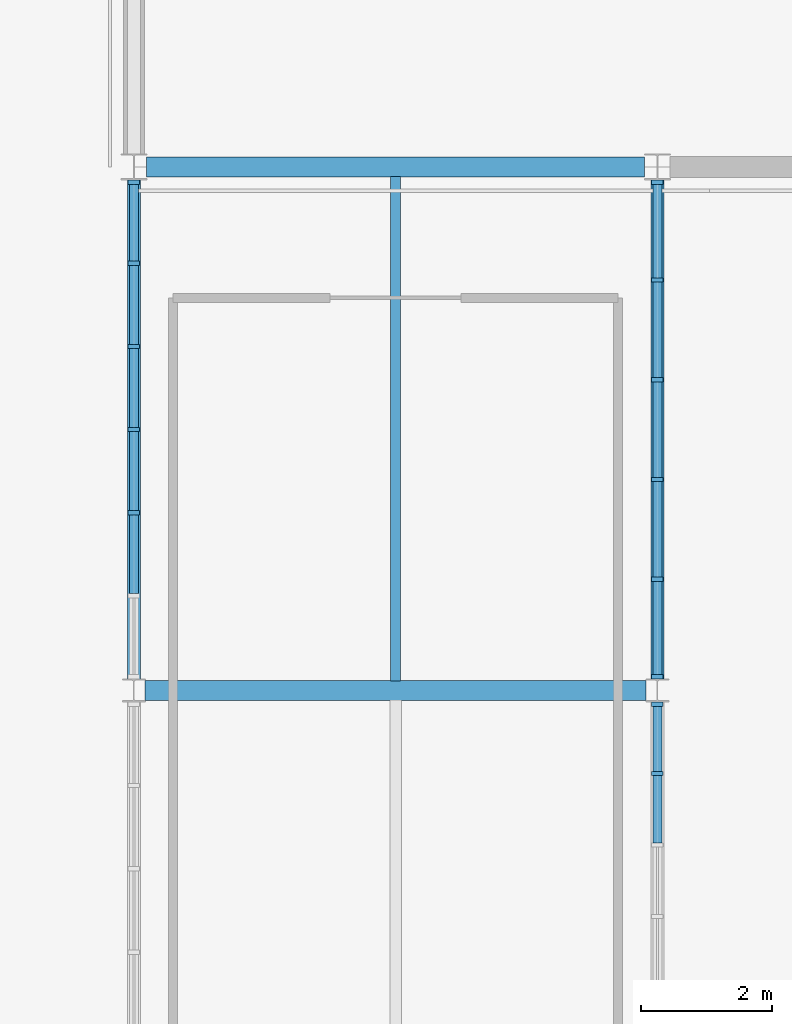
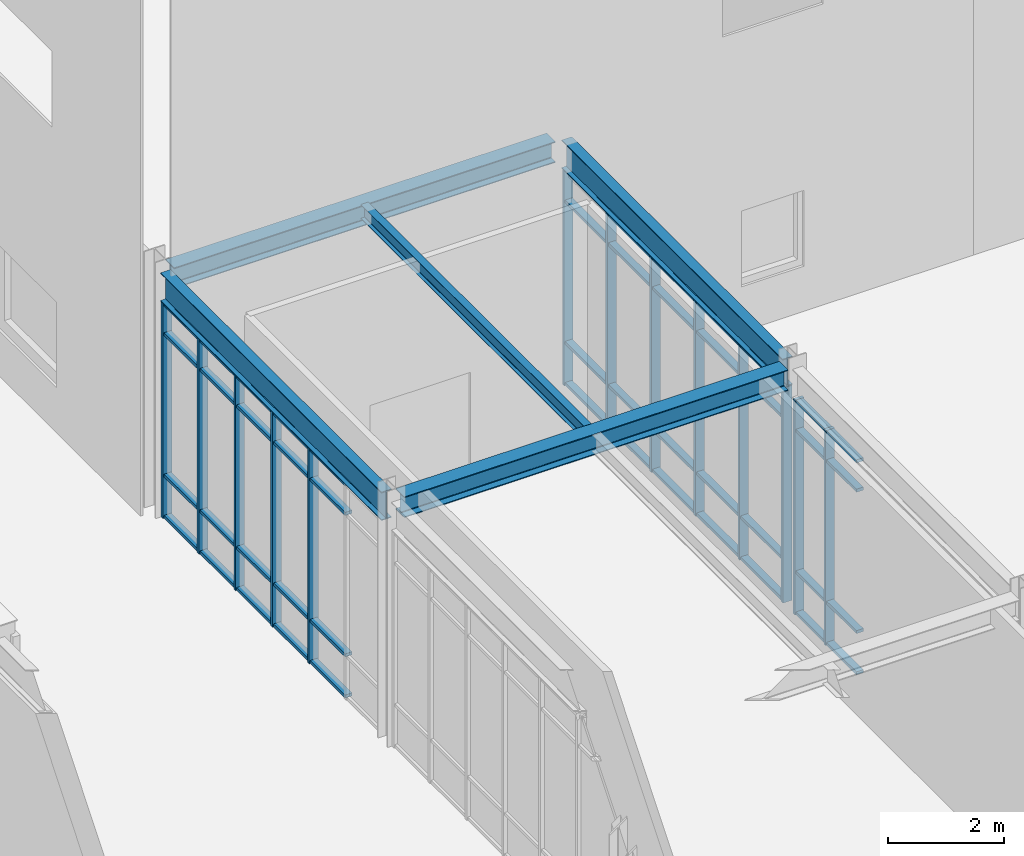
# One storey, part 29 of 119: 60 members, 5 beams, 3 elements without a shape of their own.
"""IFC4 building model written with IfcOpenShell, lengths in metres."""

from ifc_helpers import new_model, si_unit, direction, frame, origin, origin_2d, place, context, subcontext, project, spatial, rectangle, i_section, extrude, material, material_profile, profile_set, type_object, element, aggregate, save


model = new_model("IFC4")

# Units and contexts
model_context = context("Model", 3, precision=1e-05, world=origin(), true_north=direction((0.0, 1.0)))
body_context = subcontext(model_context, "Body", "Model", "MODEL_VIEW")
ifc_project = project(units=[si_unit("LENGTHUNIT", "METRE"), si_unit("AREAUNIT", "SQUARE_METRE"), si_unit("VOLUMEUNIT", "CUBIC_METRE"), si_unit("PLANEANGLEUNIT", "RADIAN"), si_unit("MASSUNIT", "GRAM", prefix="KILO")], contexts=[model_context])

# Site, building, storey
site_placement = place(None, origin())
site = spatial("IfcSite", under=ifc_project, at=site_placement, CompositionType="ELEMENT")
building_placement = place(site_placement, origin())
building = spatial("IfcBuilding", under=site, at=building_placement, Name="Zhaolan Boulevard Law Courts", CompositionType="ELEMENT")
storey_placement = place(building_placement, origin())
storey = spatial("IfcBuildingStorey", under=building, at=storey_placement, Name="L00", CompositionType="ELEMENT", Elevation=0.0)

# Curtain wall, members
ifc_material_1 = material(Name="Thermally broken aluminium and low-E glazing", Category="aluminium")
curtain_wall_type_1 = type_object("IfcCurtainWallType", Name="CURTAIN WALL M15", PredefinedType="USERDEFINED", material=ifc_material_1)
curtain_wall_1_placement = place(storey_placement, origin())
curtain_wall_1 = element("IfcCurtainWall", 1, at=curtain_wall_1_placement, inside=storey, type_object=curtain_wall_type_1, Name="Curtain Wall CW-L00-015", ObjectType="CURTAIN WALL", PredefinedType="USERDEFINED")
ifc_material_2 = material(Name="Fluorocarbon-coated aluminium 6063-T6", Category="aluminium")
ifc_material_profile_1 = material_profile(ifc_material_2, rectangle(XDim=0.179931640625, YDim=0.06494140625, at=origin_2d()), Name="AL65x180")
ifc_profile_set_1 = profile_set([ifc_material_profile_1], Name="Fluorocarbon-coated aluminium 6063-T6")
member_type_1 = type_object("IfcMemberType", Name="CWMULLION 65X180", PredefinedType="MULLION", material=ifc_profile_set_1)
member_1_placement = place(storey_placement, frame((52.0, 61.765380859375, 0.0), z_axis=(0.0, 0.0, 1.0), x_axis=(1.0, 0.0, 0.0)))
member_1 = element("IfcMember", 2, at=member_1_placement, type_object=member_type_1, Name="CW-L00-015 mullion 1", PredefinedType="MULLION", context=body_context, shape_type="SweptSolid", body=[
    extrude(rectangle(XDim=0.179931640625, YDim=0.06494140625, at=origin_2d()), origin(), (0.0, 0.0, 1.0), 4.532958984375),
])
member_2_placement = place(storey_placement, frame((52.0, 60.52783203125, 0.0), z_axis=(0.0, 0.0, 1.0), x_axis=(1.0, 0.0, 0.0)))
member_2 = element("IfcMember", 3, at=member_2_placement, type_object=member_type_1, Name="CW-L00-015 mullion 2", PredefinedType="MULLION", context=body_context, shape_type="SweptSolid", body=[
    extrude(rectangle(XDim=0.179931640625, YDim=0.06494140625, at=origin_2d()), origin(), (0.0, 0.0, 1.0), 4.532958984375),
])
member_3_placement = place(storey_placement, frame((52.0, 59.257568359375, 0.0), z_axis=(0.0, 0.0, 1.0), x_axis=(1.0, 0.0, 0.0)))
member_3 = element("IfcMember", 4, at=member_3_placement, type_object=member_type_1, Name="CW-L00-015 mullion 3", PredefinedType="MULLION", context=body_context, shape_type="SweptSolid", body=[
    extrude(rectangle(XDim=0.179931640625, YDim=0.06494140625, at=origin_2d()), origin(), (0.0, 0.0, 1.0), 4.532958984375),
])
member_4_placement = place(storey_placement, frame((52.0, 57.987548828125, 0.0), z_axis=(0.0, 0.0, 1.0), x_axis=(1.0, 0.0, 0.0)))
member_4 = element("IfcMember", 5, at=member_4_placement, type_object=member_type_1, Name="CW-L00-015 mullion 4", PredefinedType="MULLION", context=body_context, shape_type="SweptSolid", body=[
    extrude(rectangle(XDim=0.179931640625, YDim=0.06494140625, at=origin_2d()), origin(), (0.0, 0.0, 1.0), 4.532958984375),
])
member_5_placement = place(storey_placement, frame((52.0, 56.71728515625, 0.0), z_axis=(0.0, 0.0, 1.0), x_axis=(1.0, 0.0, 0.0)))
member_5 = element("IfcMember", 6, at=member_5_placement, type_object=member_type_1, Name="CW-L00-015 mullion 5", PredefinedType="MULLION", context=body_context, shape_type="SweptSolid", body=[
    extrude(rectangle(XDim=0.179931640625, YDim=0.06494140625, at=origin_2d()), origin(), (0.0, 0.0, 1.0), 4.532958984375),
])

ifc_material_3 = material(Name="Thermally broken aluminium and low-E glazing", Category="aluminium")
curtain_wall_type_2 = type_object("IfcCurtainWallType", Name="CURTAIN WALL M18", PredefinedType="USERDEFINED", material=ifc_material_3)
curtain_wall_2_placement = place(storey_placement, origin())
curtain_wall_2 = element("IfcCurtainWall", 7, at=curtain_wall_2_placement, inside=storey, type_object=curtain_wall_type_2, Name="Curtain Wall CW-L00-018", ObjectType="CURTAIN WALL", PredefinedType="USERDEFINED")
member_6_placement = place(storey_placement, frame((60.0, 52.730712890625, 0.0), z_axis=(0.0, 0.0, 1.0), x_axis=(-1.0, 0.0, 0.0)))
member_6 = element("IfcMember", 8, at=member_6_placement, type_object=member_type_1, Name="CW-L00-018 mullion 7", PredefinedType="MULLION", context=body_context, shape_type="SweptSolid", body=[
    extrude(rectangle(XDim=0.179931640625, YDim=0.06494140625, at=origin_2d()), origin(), (0.0, 0.0, 1.0), 4.532958984375),
])
member_7_placement = place(storey_placement, frame((60.0, 53.79052734375, 0.0), z_axis=(0.0, 0.0, 1.0), x_axis=(-1.0, 0.0, 0.0)))
member_7 = element("IfcMember", 9, at=member_7_placement, type_object=member_type_1, Name="CW-L00-018 mullion 8", PredefinedType="MULLION", context=body_context, shape_type="SweptSolid", body=[
    extrude(rectangle(XDim=0.179931640625, YDim=0.06494140625, at=origin_2d()), origin(), (0.0, 0.0, 1.0), 4.532958984375),
])

ifc_material_4 = material(Name="Thermally broken aluminium and low-E glazing", Category="aluminium")
curtain_wall_type_3 = type_object("IfcCurtainWallType", Name="CURTAIN WALL M19", PredefinedType="USERDEFINED", material=ifc_material_4)
curtain_wall_3_placement = place(storey_placement, origin())
curtain_wall_3 = element("IfcCurtainWall", 10, at=curtain_wall_3_placement, inside=storey, type_object=curtain_wall_type_3, Name="Curtain Wall CW-L00-019", ObjectType="CURTAIN WALL", PredefinedType="USERDEFINED")
member_8_placement = place(storey_placement, frame((60.0, 54.20947265625, 0.0), z_axis=(0.0, 0.0, 1.0), x_axis=(-1.0, 0.0, 0.0)))
member_8 = element("IfcMember", 11, at=member_8_placement, type_object=member_type_1, Name="CW-L00-019 mullion 1", PredefinedType="MULLION", context=body_context, shape_type="SweptSolid", body=[
    extrude(rectangle(XDim=0.179931640625, YDim=0.06494140625, at=origin_2d()), origin(), (0.0, 0.0, 1.0), 4.532958984375),
])
member_9_placement = place(storey_placement, frame((60.0, 55.701171875, 0.0), z_axis=(0.0, 0.0, 1.0), x_axis=(-1.0, 0.0, 0.0)))
member_9 = element("IfcMember", 12, at=member_9_placement, type_object=member_type_1, Name="CW-L00-019 mullion 2", PredefinedType="MULLION", context=body_context, shape_type="SweptSolid", body=[
    extrude(rectangle(XDim=0.179931640625, YDim=0.06494140625, at=origin_2d()), origin(), (0.0, 0.0, 1.0), 4.532958984375),
])
member_10_placement = place(storey_placement, frame((60.0, 57.225341796875, 0.0), z_axis=(0.0, 0.0, 1.0), x_axis=(-1.0, 0.0, 0.0)))
member_10 = element("IfcMember", 13, at=member_10_placement, type_object=member_type_1, Name="CW-L00-019 mullion 3", PredefinedType="MULLION", context=body_context, shape_type="SweptSolid", body=[
    extrude(rectangle(XDim=0.179931640625, YDim=0.06494140625, at=origin_2d()), origin(), (0.0, 0.0, 1.0), 4.532958984375),
])
member_11_placement = place(storey_placement, frame((60.0, 58.74951171875, 0.0), z_axis=(0.0, 0.0, 1.0), x_axis=(-1.0, 0.0, 0.0)))
member_11 = element("IfcMember", 14, at=member_11_placement, type_object=member_type_1, Name="CW-L00-019 mullion 4", PredefinedType="MULLION", context=body_context, shape_type="SweptSolid", body=[
    extrude(rectangle(XDim=0.179931640625, YDim=0.06494140625, at=origin_2d()), origin(), (0.0, 0.0, 1.0), 4.532958984375),
])
member_12_placement = place(storey_placement, frame((60.0, 60.273681640625, 0.0), z_axis=(0.0, 0.0, 1.0), x_axis=(-1.0, 0.0, 0.0)))
member_12 = element("IfcMember", 15, at=member_12_placement, type_object=member_type_1, Name="CW-L00-019 mullion 5", PredefinedType="MULLION", context=body_context, shape_type="SweptSolid", body=[
    extrude(rectangle(XDim=0.179931640625, YDim=0.06494140625, at=origin_2d()), origin(), (0.0, 0.0, 1.0), 4.532958984375),
])
member_13_placement = place(storey_placement, frame((60.0, 61.765380859375, 0.0), z_axis=(0.0, 0.0, 1.0), x_axis=(-1.0, 0.0, 0.0)))
member_13 = element("IfcMember", 16, at=member_13_placement, type_object=member_type_1, Name="CW-L00-019 mullion 6", PredefinedType="MULLION", context=body_context, shape_type="SweptSolid", body=[
    extrude(rectangle(XDim=0.179931640625, YDim=0.06494140625, at=origin_2d()), origin(), (0.0, 0.0, 1.0), 4.532958984375),
])

# Member
ifc_material_5 = material(Name="Fluorocarbon-coated aluminium 6063-T6", Category="aluminium")
ifc_material_profile_2 = material_profile(ifc_material_5, rectangle(XDim=0.139892578125, YDim=0.06494140625, at=origin_2d()), Name="AL65x140")
ifc_profile_set_2 = profile_set([ifc_material_profile_2], Name="Fluorocarbon-coated aluminium 6063-T6")
member_type_2 = type_object("IfcMemberType", Name="CWTRANSOM 65X140", PredefinedType="USERDEFINED", material=ifc_profile_set_2)
member_14_placement = place(storey_placement, frame((52.0, 61.73291015625, 0.032470703125), z_axis=(0.0, -1.0, 0.0), x_axis=(1.0, 0.0, 0.0)))
member_14 = element("IfcMember", 17, at=member_14_placement, type_object=member_type_2, Name="CW-L00-015 transom 1.1", ObjectType="TRANSOM", PredefinedType="USERDEFINED", context=body_context, shape_type="SweptSolid", body=[
    extrude(rectangle(XDim=0.139892578125, YDim=0.06494140625, at=origin_2d()), origin(), (0.0, 0.0, 1.0), 1.172607421875),
])

member_15_placement = place(storey_placement, frame((52.0, 61.73291015625, 0.89990234375), z_axis=(0.0, -1.0, 0.0), x_axis=(1.0, 0.0, 0.0)))
member_15 = element("IfcMember", 18, at=member_15_placement, type_object=member_type_2, Name="CW-L00-015 transom 1.2", ObjectType="TRANSOM", PredefinedType="USERDEFINED", context=body_context, shape_type="SweptSolid", body=[
    extrude(rectangle(XDim=0.139892578125, YDim=0.06494140625, at=origin_2d()), origin(), (0.0, 0.0, 1.0), 1.172607421875),
])

member_16_placement = place(storey_placement, frame((52.0, 61.73291015625, 3.883056640625), z_axis=(0.0, -1.0, 0.0), x_axis=(1.0, 0.0, 0.0)))
member_16 = element("IfcMember", 19, at=member_16_placement, type_object=member_type_2, Name="CW-L00-015 transom 1.3", ObjectType="TRANSOM", PredefinedType="USERDEFINED", context=body_context, shape_type="SweptSolid", body=[
    extrude(rectangle(XDim=0.139892578125, YDim=0.06494140625, at=origin_2d()), origin(), (0.0, 0.0, 1.0), 1.172607421875),
])

member_17_placement = place(storey_placement, frame((52.0, 61.73291015625, 4.50048828125), z_axis=(0.0, -1.0, 0.0), x_axis=(1.0, 0.0, 0.0)))
member_17 = element("IfcMember", 20, at=member_17_placement, type_object=member_type_2, Name="CW-L00-015 transom 1.4", ObjectType="TRANSOM", PredefinedType="USERDEFINED", context=body_context, shape_type="SweptSolid", body=[
    extrude(rectangle(XDim=0.139892578125, YDim=0.06494140625, at=origin_2d()), origin(), (0.0, 0.0, 1.0), 1.172607421875),
])

member_18_placement = place(storey_placement, frame((52.0, 60.495361328125, 0.032470703125), z_axis=(0.0, -1.0, 0.0), x_axis=(1.0, 0.0, 0.0)))
member_18 = element("IfcMember", 21, at=member_18_placement, type_object=member_type_2, Name="CW-L00-015 transom 2.1", ObjectType="TRANSOM", PredefinedType="USERDEFINED", context=body_context, shape_type="SweptSolid", body=[
    extrude(rectangle(XDim=0.139892578125, YDim=0.06494140625, at=origin_2d()), origin(), (0.0, 0.0, 1.0), 1.205078125),
])

member_19_placement = place(storey_placement, frame((52.0, 60.495361328125, 0.89990234375), z_axis=(0.0, -1.0, 0.0), x_axis=(1.0, 0.0, 0.0)))
member_19 = element("IfcMember", 22, at=member_19_placement, type_object=member_type_2, Name="CW-L00-015 transom 2.2", ObjectType="TRANSOM", PredefinedType="USERDEFINED", context=body_context, shape_type="SweptSolid", body=[
    extrude(rectangle(XDim=0.139892578125, YDim=0.06494140625, at=origin_2d()), origin(), (0.0, 0.0, 1.0), 1.205078125),
])

member_20_placement = place(storey_placement, frame((52.0, 60.495361328125, 3.883056640625), z_axis=(0.0, -1.0, 0.0), x_axis=(1.0, 0.0, 0.0)))
member_20 = element("IfcMember", 23, at=member_20_placement, type_object=member_type_2, Name="CW-L00-015 transom 2.3", ObjectType="TRANSOM", PredefinedType="USERDEFINED", context=body_context, shape_type="SweptSolid", body=[
    extrude(rectangle(XDim=0.139892578125, YDim=0.06494140625, at=origin_2d()), origin(), (0.0, 0.0, 1.0), 1.205078125),
])

member_21_placement = place(storey_placement, frame((52.0, 60.495361328125, 4.50048828125), z_axis=(0.0, -1.0, 0.0), x_axis=(1.0, 0.0, 0.0)))
member_21 = element("IfcMember", 24, at=member_21_placement, type_object=member_type_2, Name="CW-L00-015 transom 2.4", ObjectType="TRANSOM", PredefinedType="USERDEFINED", context=body_context, shape_type="SweptSolid", body=[
    extrude(rectangle(XDim=0.139892578125, YDim=0.06494140625, at=origin_2d()), origin(), (0.0, 0.0, 1.0), 1.205078125),
])

member_22_placement = place(storey_placement, frame((52.0, 59.22509765625, 0.032470703125), z_axis=(0.0, -1.0, 0.0), x_axis=(1.0, 0.0, 0.0)))
member_22 = element("IfcMember", 25, at=member_22_placement, type_object=member_type_2, Name="CW-L00-015 transom 3.1", ObjectType="TRANSOM", PredefinedType="USERDEFINED", context=body_context, shape_type="SweptSolid", body=[
    extrude(rectangle(XDim=0.139892578125, YDim=0.06494140625, at=origin_2d()), origin(), (0.0, 0.0, 1.0), 1.205078125),
])

member_23_placement = place(storey_placement, frame((52.0, 59.22509765625, 0.89990234375), z_axis=(0.0, -1.0, 0.0), x_axis=(1.0, 0.0, 0.0)))
member_23 = element("IfcMember", 26, at=member_23_placement, type_object=member_type_2, Name="CW-L00-015 transom 3.2", ObjectType="TRANSOM", PredefinedType="USERDEFINED", context=body_context, shape_type="SweptSolid", body=[
    extrude(rectangle(XDim=0.139892578125, YDim=0.06494140625, at=origin_2d()), origin(), (0.0, 0.0, 1.0), 1.205078125),
])

member_24_placement = place(storey_placement, frame((52.0, 59.22509765625, 3.883056640625), z_axis=(0.0, -1.0, 0.0), x_axis=(1.0, 0.0, 0.0)))
member_24 = element("IfcMember", 27, at=member_24_placement, type_object=member_type_2, Name="CW-L00-015 transom 3.3", ObjectType="TRANSOM", PredefinedType="USERDEFINED", context=body_context, shape_type="SweptSolid", body=[
    extrude(rectangle(XDim=0.139892578125, YDim=0.06494140625, at=origin_2d()), origin(), (0.0, 0.0, 1.0), 1.205078125),
])

member_25_placement = place(storey_placement, frame((52.0, 59.22509765625, 4.50048828125), z_axis=(0.0, -1.0, 0.0), x_axis=(1.0, 0.0, 0.0)))
member_25 = element("IfcMember", 28, at=member_25_placement, type_object=member_type_2, Name="CW-L00-015 transom 3.4", ObjectType="TRANSOM", PredefinedType="USERDEFINED", context=body_context, shape_type="SweptSolid", body=[
    extrude(rectangle(XDim=0.139892578125, YDim=0.06494140625, at=origin_2d()), origin(), (0.0, 0.0, 1.0), 1.205078125),
])

member_26_placement = place(storey_placement, frame((52.0, 57.955078125, 0.032470703125), z_axis=(0.0, -1.0, 0.0), x_axis=(1.0, 0.0, 0.0)))
member_26 = element("IfcMember", 29, at=member_26_placement, type_object=member_type_2, Name="CW-L00-015 transom 4.1", ObjectType="TRANSOM", PredefinedType="USERDEFINED", context=body_context, shape_type="SweptSolid", body=[
    extrude(rectangle(XDim=0.139892578125, YDim=0.06494140625, at=origin_2d()), origin(), (0.0, 0.0, 1.0), 1.205322265625),
])

member_27_placement = place(storey_placement, frame((52.0, 57.955078125, 0.89990234375), z_axis=(0.0, -1.0, 0.0), x_axis=(1.0, 0.0, 0.0)))
member_27 = element("IfcMember", 30, at=member_27_placement, type_object=member_type_2, Name="CW-L00-015 transom 4.2", ObjectType="TRANSOM", PredefinedType="USERDEFINED", context=body_context, shape_type="SweptSolid", body=[
    extrude(rectangle(XDim=0.139892578125, YDim=0.06494140625, at=origin_2d()), origin(), (0.0, 0.0, 1.0), 1.205322265625),
])

member_28_placement = place(storey_placement, frame((52.0, 57.955078125, 3.883056640625), z_axis=(0.0, -1.0, 0.0), x_axis=(1.0, 0.0, 0.0)))
member_28 = element("IfcMember", 31, at=member_28_placement, type_object=member_type_2, Name="CW-L00-015 transom 4.3", ObjectType="TRANSOM", PredefinedType="USERDEFINED", context=body_context, shape_type="SweptSolid", body=[
    extrude(rectangle(XDim=0.139892578125, YDim=0.06494140625, at=origin_2d()), origin(), (0.0, 0.0, 1.0), 1.205322265625),
])

member_29_placement = place(storey_placement, frame((52.0, 57.955078125, 4.50048828125), z_axis=(0.0, -1.0, 0.0), x_axis=(1.0, 0.0, 0.0)))
member_29 = element("IfcMember", 32, at=member_29_placement, type_object=member_type_2, Name="CW-L00-015 transom 4.4", ObjectType="TRANSOM", PredefinedType="USERDEFINED", context=body_context, shape_type="SweptSolid", body=[
    extrude(rectangle(XDim=0.139892578125, YDim=0.06494140625, at=origin_2d()), origin(), (0.0, 0.0, 1.0), 1.205322265625),
])

member_30_placement = place(storey_placement, frame((52.0, 56.684814453125, 0.032470703125), z_axis=(0.0, -1.0, 0.0), x_axis=(1.0, 0.0, 0.0)))
member_30 = element("IfcMember", 33, at=member_30_placement, type_object=member_type_2, Name="CW-L00-015 transom 5.1", ObjectType="TRANSOM", PredefinedType="USERDEFINED", context=body_context, shape_type="SweptSolid", body=[
    extrude(rectangle(XDim=0.139892578125, YDim=0.06494140625, at=origin_2d()), origin(), (0.0, 0.0, 1.0), 1.205078125),
])

member_31_placement = place(storey_placement, frame((52.0, 56.684814453125, 0.89990234375), z_axis=(0.0, -1.0, 0.0), x_axis=(1.0, 0.0, 0.0)))
member_31 = element("IfcMember", 34, at=member_31_placement, type_object=member_type_2, Name="CW-L00-015 transom 5.2", ObjectType="TRANSOM", PredefinedType="USERDEFINED", context=body_context, shape_type="SweptSolid", body=[
    extrude(rectangle(XDim=0.139892578125, YDim=0.06494140625, at=origin_2d()), origin(), (0.0, 0.0, 1.0), 1.205078125),
])

member_32_placement = place(storey_placement, frame((52.0, 56.684814453125, 3.883056640625), z_axis=(0.0, -1.0, 0.0), x_axis=(1.0, 0.0, 0.0)))
member_32 = element("IfcMember", 35, at=member_32_placement, type_object=member_type_2, Name="CW-L00-015 transom 5.3", ObjectType="TRANSOM", PredefinedType="USERDEFINED", context=body_context, shape_type="SweptSolid", body=[
    extrude(rectangle(XDim=0.139892578125, YDim=0.06494140625, at=origin_2d()), origin(), (0.0, 0.0, 1.0), 1.205078125),
])

member_33_placement = place(storey_placement, frame((52.0, 56.684814453125, 4.50048828125), z_axis=(0.0, -1.0, 0.0), x_axis=(1.0, 0.0, 0.0)))
member_33 = element("IfcMember", 36, at=member_33_placement, type_object=member_type_2, Name="CW-L00-015 transom 5.4", ObjectType="TRANSOM", PredefinedType="USERDEFINED", context=body_context, shape_type="SweptSolid", body=[
    extrude(rectangle(XDim=0.139892578125, YDim=0.06494140625, at=origin_2d()), origin(), (0.0, 0.0, 1.0), 1.205078125),
])

aggregate(curtain_wall_1, [member_1, member_2, member_3, member_4, member_5, member_14, member_15, member_16, member_17, member_18, member_19, member_20, member_21, member_22, member_23, member_24, member_25, member_26, member_27, member_28, member_29, member_30, member_31, member_32, member_33])

member_34_placement = place(storey_placement, frame((60.0, 51.6708984375, 0.032470703125), z_axis=(0.0, 1.0, 0.0), x_axis=(-1.0, 0.0, 0.0)))
member_34 = element("IfcMember", 37, at=member_34_placement, type_object=member_type_2, Name="CW-L00-018 transom 6.1", ObjectType="TRANSOM", PredefinedType="USERDEFINED", context=body_context, shape_type="SweptSolid", body=[
    extrude(rectangle(XDim=0.139892578125, YDim=0.06494140625, at=origin_2d()), origin(), (0.0, 0.0, 1.0), 1.02734375),
])

member_35_placement = place(storey_placement, frame((60.0, 51.6708984375, 0.89990234375), z_axis=(0.0, 1.0, 0.0), x_axis=(-1.0, 0.0, 0.0)))
member_35 = element("IfcMember", 38, at=member_35_placement, type_object=member_type_2, Name="CW-L00-018 transom 6.2", ObjectType="TRANSOM", PredefinedType="USERDEFINED", context=body_context, shape_type="SweptSolid", body=[
    extrude(rectangle(XDim=0.139892578125, YDim=0.06494140625, at=origin_2d()), origin(), (0.0, 0.0, 1.0), 1.02734375),
])

member_36_placement = place(storey_placement, frame((60.0, 51.6708984375, 3.883056640625), z_axis=(0.0, 1.0, 0.0), x_axis=(-1.0, 0.0, 0.0)))
member_36 = element("IfcMember", 39, at=member_36_placement, type_object=member_type_2, Name="CW-L00-018 transom 6.3", ObjectType="TRANSOM", PredefinedType="USERDEFINED", context=body_context, shape_type="SweptSolid", body=[
    extrude(rectangle(XDim=0.139892578125, YDim=0.06494140625, at=origin_2d()), origin(), (0.0, 0.0, 1.0), 1.02734375),
])

member_37_placement = place(storey_placement, frame((60.0, 51.6708984375, 4.50048828125), z_axis=(0.0, 1.0, 0.0), x_axis=(-1.0, 0.0, 0.0)))
member_37 = element("IfcMember", 40, at=member_37_placement, type_object=member_type_2, Name="CW-L00-018 transom 6.4", ObjectType="TRANSOM", PredefinedType="USERDEFINED", context=body_context, shape_type="SweptSolid", body=[
    extrude(rectangle(XDim=0.139892578125, YDim=0.06494140625, at=origin_2d()), origin(), (0.0, 0.0, 1.0), 1.02734375),
])

member_38_placement = place(storey_placement, frame((60.0, 52.76318359375, 0.032470703125), z_axis=(0.0, 1.0, 0.0), x_axis=(-1.0, 0.0, 0.0)))
member_38 = element("IfcMember", 41, at=member_38_placement, type_object=member_type_2, Name="CW-L00-018 transom 7.1", ObjectType="TRANSOM", PredefinedType="USERDEFINED", context=body_context, shape_type="SweptSolid", body=[
    extrude(rectangle(XDim=0.139892578125, YDim=0.06494140625, at=origin_2d()), origin(), (0.0, 0.0, 1.0), 0.994873046875),
])

member_39_placement = place(storey_placement, frame((60.0, 52.76318359375, 0.89990234375), z_axis=(0.0, 1.0, 0.0), x_axis=(-1.0, 0.0, 0.0)))
member_39 = element("IfcMember", 42, at=member_39_placement, type_object=member_type_2, Name="CW-L00-018 transom 7.2", ObjectType="TRANSOM", PredefinedType="USERDEFINED", context=body_context, shape_type="SweptSolid", body=[
    extrude(rectangle(XDim=0.139892578125, YDim=0.06494140625, at=origin_2d()), origin(), (0.0, 0.0, 1.0), 0.994873046875),
])

member_40_placement = place(storey_placement, frame((60.0, 52.76318359375, 3.883056640625), z_axis=(0.0, 1.0, 0.0), x_axis=(-1.0, 0.0, 0.0)))
member_40 = element("IfcMember", 43, at=member_40_placement, type_object=member_type_2, Name="CW-L00-018 transom 7.3", ObjectType="TRANSOM", PredefinedType="USERDEFINED", context=body_context, shape_type="SweptSolid", body=[
    extrude(rectangle(XDim=0.139892578125, YDim=0.06494140625, at=origin_2d()), origin(), (0.0, 0.0, 1.0), 0.994873046875),
])

member_41_placement = place(storey_placement, frame((60.0, 52.76318359375, 4.50048828125), z_axis=(0.0, 1.0, 0.0), x_axis=(-1.0, 0.0, 0.0)))
member_41 = element("IfcMember", 44, at=member_41_placement, type_object=member_type_2, Name="CW-L00-018 transom 7.4", ObjectType="TRANSOM", PredefinedType="USERDEFINED", context=body_context, shape_type="SweptSolid", body=[
    extrude(rectangle(XDim=0.139892578125, YDim=0.06494140625, at=origin_2d()), origin(), (0.0, 0.0, 1.0), 0.994873046875),
])

aggregate(curtain_wall_2, [member_6, member_7, member_34, member_35, member_36, member_37, member_38, member_39, member_40, member_41])

member_42_placement = place(storey_placement, frame((60.0, 54.241943359375, 0.032470703125), z_axis=(0.0, 1.0, 0.0), x_axis=(-1.0, 0.0, 0.0)))
member_42 = element("IfcMember", 45, at=member_42_placement, type_object=member_type_2, Name="CW-L00-019 transom 1.1", ObjectType="TRANSOM", PredefinedType="USERDEFINED", context=body_context, shape_type="SweptSolid", body=[
    extrude(rectangle(XDim=0.139892578125, YDim=0.06494140625, at=origin_2d()), origin(), (0.0, 0.0, 1.0), 1.4267578125),
])

member_43_placement = place(storey_placement, frame((60.0, 54.241943359375, 0.89990234375), z_axis=(0.0, 1.0, 0.0), x_axis=(-1.0, 0.0, 0.0)))
member_43 = element("IfcMember", 46, at=member_43_placement, type_object=member_type_2, Name="CW-L00-019 transom 1.2", ObjectType="TRANSOM", PredefinedType="USERDEFINED", context=body_context, shape_type="SweptSolid", body=[
    extrude(rectangle(XDim=0.139892578125, YDim=0.06494140625, at=origin_2d()), origin(), (0.0, 0.0, 1.0), 1.4267578125),
])

member_44_placement = place(storey_placement, frame((60.0, 54.241943359375, 3.883056640625), z_axis=(0.0, 1.0, 0.0), x_axis=(-1.0, 0.0, 0.0)))
member_44 = element("IfcMember", 47, at=member_44_placement, type_object=member_type_2, Name="CW-L00-019 transom 1.3", ObjectType="TRANSOM", PredefinedType="USERDEFINED", context=body_context, shape_type="SweptSolid", body=[
    extrude(rectangle(XDim=0.139892578125, YDim=0.06494140625, at=origin_2d()), origin(), (0.0, 0.0, 1.0), 1.4267578125),
])

member_45_placement = place(storey_placement, frame((60.0, 54.241943359375, 4.50048828125), z_axis=(0.0, 1.0, 0.0), x_axis=(-1.0, 0.0, 0.0)))
member_45 = element("IfcMember", 48, at=member_45_placement, type_object=member_type_2, Name="CW-L00-019 transom 1.4", ObjectType="TRANSOM", PredefinedType="USERDEFINED", context=body_context, shape_type="SweptSolid", body=[
    extrude(rectangle(XDim=0.139892578125, YDim=0.06494140625, at=origin_2d()), origin(), (0.0, 0.0, 1.0), 1.4267578125),
])

member_46_placement = place(storey_placement, frame((60.0, 55.733642578125, 0.032470703125), z_axis=(0.0, 1.0, 0.0), x_axis=(-1.0, 0.0, 0.0)))
member_46 = element("IfcMember", 49, at=member_46_placement, type_object=member_type_2, Name="CW-L00-019 transom 2.1", ObjectType="TRANSOM", PredefinedType="USERDEFINED", context=body_context, shape_type="SweptSolid", body=[
    extrude(rectangle(XDim=0.139892578125, YDim=0.06494140625, at=origin_2d()), origin(), (0.0, 0.0, 1.0), 1.459228515625),
])

member_47_placement = place(storey_placement, frame((60.0, 55.733642578125, 0.89990234375), z_axis=(0.0, 1.0, 0.0), x_axis=(-1.0, 0.0, 0.0)))
member_47 = element("IfcMember", 50, at=member_47_placement, type_object=member_type_2, Name="CW-L00-019 transom 2.2", ObjectType="TRANSOM", PredefinedType="USERDEFINED", context=body_context, shape_type="SweptSolid", body=[
    extrude(rectangle(XDim=0.139892578125, YDim=0.06494140625, at=origin_2d()), origin(), (0.0, 0.0, 1.0), 1.459228515625),
])

member_48_placement = place(storey_placement, frame((60.0, 55.733642578125, 3.883056640625), z_axis=(0.0, 1.0, 0.0), x_axis=(-1.0, 0.0, 0.0)))
member_48 = element("IfcMember", 51, at=member_48_placement, type_object=member_type_2, Name="CW-L00-019 transom 2.3", ObjectType="TRANSOM", PredefinedType="USERDEFINED", context=body_context, shape_type="SweptSolid", body=[
    extrude(rectangle(XDim=0.139892578125, YDim=0.06494140625, at=origin_2d()), origin(), (0.0, 0.0, 1.0), 1.459228515625),
])

member_49_placement = place(storey_placement, frame((60.0, 55.733642578125, 4.50048828125), z_axis=(0.0, 1.0, 0.0), x_axis=(-1.0, 0.0, 0.0)))
member_49 = element("IfcMember", 52, at=member_49_placement, type_object=member_type_2, Name="CW-L00-019 transom 2.4", ObjectType="TRANSOM", PredefinedType="USERDEFINED", context=body_context, shape_type="SweptSolid", body=[
    extrude(rectangle(XDim=0.139892578125, YDim=0.06494140625, at=origin_2d()), origin(), (0.0, 0.0, 1.0), 1.459228515625),
])

member_50_placement = place(storey_placement, frame((60.0, 57.2578125, 0.032470703125), z_axis=(0.0, 1.0, 0.0), x_axis=(-1.0, 0.0, 0.0)))
member_50 = element("IfcMember", 53, at=member_50_placement, type_object=member_type_2, Name="CW-L00-019 transom 3.1", ObjectType="TRANSOM", PredefinedType="USERDEFINED", context=body_context, shape_type="SweptSolid", body=[
    extrude(rectangle(XDim=0.139892578125, YDim=0.06494140625, at=origin_2d()), origin(), (0.0, 0.0, 1.0), 1.459228515625),
])

member_51_placement = place(storey_placement, frame((60.0, 57.2578125, 0.89990234375), z_axis=(0.0, 1.0, 0.0), x_axis=(-1.0, 0.0, 0.0)))
member_51 = element("IfcMember", 54, at=member_51_placement, type_object=member_type_2, Name="CW-L00-019 transom 3.2", ObjectType="TRANSOM", PredefinedType="USERDEFINED", context=body_context, shape_type="SweptSolid", body=[
    extrude(rectangle(XDim=0.139892578125, YDim=0.06494140625, at=origin_2d()), origin(), (0.0, 0.0, 1.0), 1.459228515625),
])

member_52_placement = place(storey_placement, frame((60.0, 57.2578125, 3.883056640625), z_axis=(0.0, 1.0, 0.0), x_axis=(-1.0, 0.0, 0.0)))
member_52 = element("IfcMember", 55, at=member_52_placement, type_object=member_type_2, Name="CW-L00-019 transom 3.3", ObjectType="TRANSOM", PredefinedType="USERDEFINED", context=body_context, shape_type="SweptSolid", body=[
    extrude(rectangle(XDim=0.139892578125, YDim=0.06494140625, at=origin_2d()), origin(), (0.0, 0.0, 1.0), 1.459228515625),
])

member_53_placement = place(storey_placement, frame((60.0, 57.2578125, 4.50048828125), z_axis=(0.0, 1.0, 0.0), x_axis=(-1.0, 0.0, 0.0)))
member_53 = element("IfcMember", 56, at=member_53_placement, type_object=member_type_2, Name="CW-L00-019 transom 3.4", ObjectType="TRANSOM", PredefinedType="USERDEFINED", context=body_context, shape_type="SweptSolid", body=[
    extrude(rectangle(XDim=0.139892578125, YDim=0.06494140625, at=origin_2d()), origin(), (0.0, 0.0, 1.0), 1.459228515625),
])

member_54_placement = place(storey_placement, frame((60.0, 58.781982421875, 0.032470703125), z_axis=(0.0, 1.0, 0.0), x_axis=(-1.0, 0.0, 0.0)))
member_54 = element("IfcMember", 57, at=member_54_placement, type_object=member_type_2, Name="CW-L00-019 transom 4.1", ObjectType="TRANSOM", PredefinedType="USERDEFINED", context=body_context, shape_type="SweptSolid", body=[
    extrude(rectangle(XDim=0.139892578125, YDim=0.06494140625, at=origin_2d()), origin(), (0.0, 0.0, 1.0), 1.459228515625),
])

member_55_placement = place(storey_placement, frame((60.0, 58.781982421875, 0.89990234375), z_axis=(0.0, 1.0, 0.0), x_axis=(-1.0, 0.0, 0.0)))
member_55 = element("IfcMember", 58, at=member_55_placement, type_object=member_type_2, Name="CW-L00-019 transom 4.2", ObjectType="TRANSOM", PredefinedType="USERDEFINED", context=body_context, shape_type="SweptSolid", body=[
    extrude(rectangle(XDim=0.139892578125, YDim=0.06494140625, at=origin_2d()), origin(), (0.0, 0.0, 1.0), 1.459228515625),
])

member_56_placement = place(storey_placement, frame((60.0, 58.781982421875, 3.883056640625), z_axis=(0.0, 1.0, 0.0), x_axis=(-1.0, 0.0, 0.0)))
member_56 = element("IfcMember", 59, at=member_56_placement, type_object=member_type_2, Name="CW-L00-019 transom 4.3", ObjectType="TRANSOM", PredefinedType="USERDEFINED", context=body_context, shape_type="SweptSolid", body=[
    extrude(rectangle(XDim=0.139892578125, YDim=0.06494140625, at=origin_2d()), origin(), (0.0, 0.0, 1.0), 1.459228515625),
])

member_57_placement = place(storey_placement, frame((60.0, 58.781982421875, 4.50048828125), z_axis=(0.0, 1.0, 0.0), x_axis=(-1.0, 0.0, 0.0)))
member_57 = element("IfcMember", 60, at=member_57_placement, type_object=member_type_2, Name="CW-L00-019 transom 4.4", ObjectType="TRANSOM", PredefinedType="USERDEFINED", context=body_context, shape_type="SweptSolid", body=[
    extrude(rectangle(XDim=0.139892578125, YDim=0.06494140625, at=origin_2d()), origin(), (0.0, 0.0, 1.0), 1.459228515625),
])

member_58_placement = place(storey_placement, frame((60.0, 60.306396484375, 0.032470703125), z_axis=(0.0, 1.0, 0.0), x_axis=(-1.0, 0.0, 0.0)))
member_58 = element("IfcMember", 61, at=member_58_placement, type_object=member_type_2, Name="CW-L00-019 transom 5.1", ObjectType="TRANSOM", PredefinedType="USERDEFINED", context=body_context, shape_type="SweptSolid", body=[
    extrude(rectangle(XDim=0.139892578125, YDim=0.06494140625, at=origin_2d()), origin(), (0.0, 0.0, 1.0), 1.426513671875),
])

member_59_placement = place(storey_placement, frame((60.0, 60.306396484375, 0.89990234375), z_axis=(0.0, 1.0, 0.0), x_axis=(-1.0, 0.0, 0.0)))
member_59 = element("IfcMember", 62, at=member_59_placement, type_object=member_type_2, Name="CW-L00-019 transom 5.2", ObjectType="TRANSOM", PredefinedType="USERDEFINED", context=body_context, shape_type="SweptSolid", body=[
    extrude(rectangle(XDim=0.139892578125, YDim=0.06494140625, at=origin_2d()), origin(), (0.0, 0.0, 1.0), 1.426513671875),
])

member_60_placement = place(storey_placement, frame((60.0, 60.306396484375, 3.883056640625), z_axis=(0.0, 1.0, 0.0), x_axis=(-1.0, 0.0, 0.0)))
member_60 = element("IfcMember", 63, at=member_60_placement, type_object=member_type_2, Name="CW-L00-019 transom 5.3", ObjectType="TRANSOM", PredefinedType="USERDEFINED", context=body_context, shape_type="SweptSolid", body=[
    extrude(rectangle(XDim=0.139892578125, YDim=0.06494140625, at=origin_2d()), origin(), (0.0, 0.0, 1.0), 1.426513671875),
])

aggregate(curtain_wall_3, [member_8, member_9, member_10, member_11, member_12, member_13, member_42, member_43, member_44, member_45, member_46, member_47, member_48, member_49, member_50, member_51, member_52, member_53, member_54, member_55, member_56, member_57, member_58, member_59, member_60])

# Beams
ifc_material_6 = material(Name="Structural steel Q355B", Category="steel")
ifc_material_profile_3 = material_profile(ifc_material_6, i_section(OverallWidth=0.300048828125, OverallDepth=0.43994140625, WebThickness=0.010986328125, FlangeThickness=0.01806640625, FilletRadius=0.02001953125, at=origin_2d()), Name="HM440x300")
ifc_profile_set_3 = profile_set([ifc_material_profile_3], Name="Structural steel Q355B")
beam_type_1 = type_object("IfcBeamType", Name="GIRDER HM440", PredefinedType="BEAM", material=ifc_profile_set_3)
beam_1_placement = place(storey_placement, frame((52.1708984375, 54.0, 4.927978515625), z_axis=(1.0, 0.0, 0.0), x_axis=(0.0, 1.0, 0.0)))
element("IfcBeam", 64, at=beam_1_placement, inside=storey, type_object=beam_type_1, Name="Beam BX-L01-7-8-H", PredefinedType="BEAM", context=body_context, shape_type="SweptSolid", body=[
    extrude(i_section(OverallWidth=0.300048828125, OverallDepth=0.43994140625, WebThickness=0.010986328125, FlangeThickness=0.01806640625, FilletRadius=0.02001953125, at=origin_2d()), origin(), (0.0, 0.0, 1.0), 7.658203125),
])
beam_2_placement = place(storey_placement, frame((52.196044921875, 62.0, 4.89794921875), z_axis=(1.0, 0.0, 0.0), x_axis=(0.0, 1.0, 0.0)))
element("IfcBeam", 65, at=beam_2_placement, inside=storey, type_object=beam_type_1, Name="Beam BX-L01-7-8-J", PredefinedType="BEAM", context=body_context, shape_type="SweptSolid", body=[
    extrude(i_section(OverallWidth=0.300048828125, OverallDepth=0.43994140625, WebThickness=0.010986328125, FlangeThickness=0.01806640625, FilletRadius=0.02001953125, at=origin_2d()), origin(), (0.0, 0.0, 1.0), 7.60791015625),
])
ifc_material_7 = material(Name="Structural steel Q355B", Category="steel")
ifc_material_profile_4 = material_profile(ifc_material_7, i_section(OverallWidth=0.199951171875, OverallDepth=0.60009765625, WebThickness=0.010986328125, FlangeThickness=0.01708984375, FilletRadius=0.02001953125, at=origin_2d()), Name="HN600x200")
ifc_profile_set_4 = profile_set([ifc_material_profile_4], Name="Structural steel Q355B")
beam_type_2 = type_object("IfcBeamType", Name="GIRDER HN600", PredefinedType="BEAM", material=ifc_profile_set_4)
for number, where, z_axis, x_axis, name in (
    (66, (52.0, 54.1708984375, 4.847900390625), (0.0, 1.0, 0.0), (-1.0, 0.0, 0.0), "Beam BY-L01-7-H-J"),
    (67, (60.0, 54.1708984375, 4.847900390625), (0.0, 1.0, 0.0), (-1.0, 0.0, 0.0), "Beam BY-L01-8-H-J"),
):
    element("IfcBeam", number, at=place(storey_placement, frame(where, z_axis=z_axis, x_axis=x_axis)), inside=storey, type_object=beam_type_2, Name=name, PredefinedType="BEAM", context=body_context, shape_type="SweptSolid", body=[
        extrude(i_section(OverallWidth=0.199951171875, OverallDepth=0.60009765625, WebThickness=0.010986328125, FlangeThickness=0.01708984375, FilletRadius=0.02001953125, at=origin_2d()), origin(), (0.0, 0.0, 1.0), 7.633056640625),
    ])
ifc_material_8 = material(Name="Structural steel Q355B", Category="steel")
ifc_material_profile_5 = material_profile(ifc_material_8, i_section(OverallWidth=0.14990234375, OverallDepth=0.300048828125, WebThickness=0.006591796875, FlangeThickness=0.009033203125, FilletRadius=0.010986328125, at=origin_2d()), Name="HN300x150")
ifc_profile_set_5 = profile_set([ifc_material_profile_5], Name="Structural steel Q355B")
beam_type_3 = type_object("IfcBeamType", Name="JOIST HN300", PredefinedType="JOIST", material=ifc_profile_set_5)
beam_3_placement = place(storey_placement, frame((56.0, 54.14599609375, 4.998046875), z_axis=(0.0, 1.0, 0.0), x_axis=(-1.0, 0.0, 0.0)))
element("IfcBeam", 68, at=beam_3_placement, inside=storey, type_object=beam_type_3, Name="Composite Joist J-L01-7H", PredefinedType="JOIST", context=body_context, shape_type="SweptSolid", body=[
    extrude(i_section(OverallWidth=0.14990234375, OverallDepth=0.300048828125, WebThickness=0.006591796875, FlangeThickness=0.009033203125, FilletRadius=0.010986328125, at=origin_2d()), origin(), (0.0, 0.0, 1.0), 7.7080078125),
])

save(model, "model.ifc")
